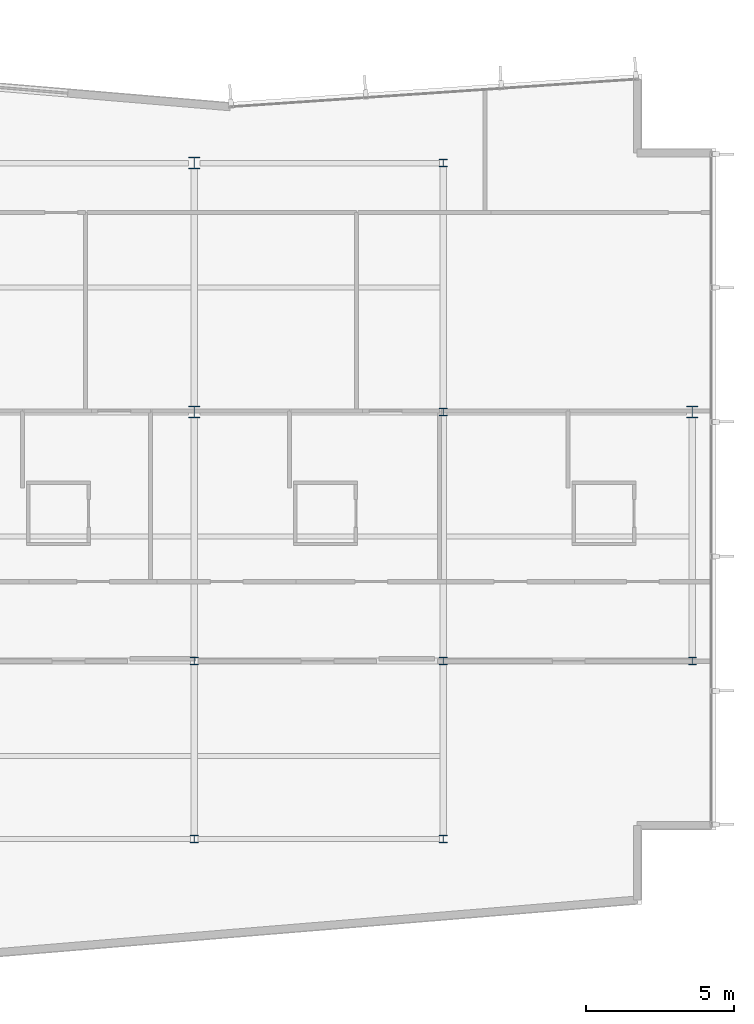
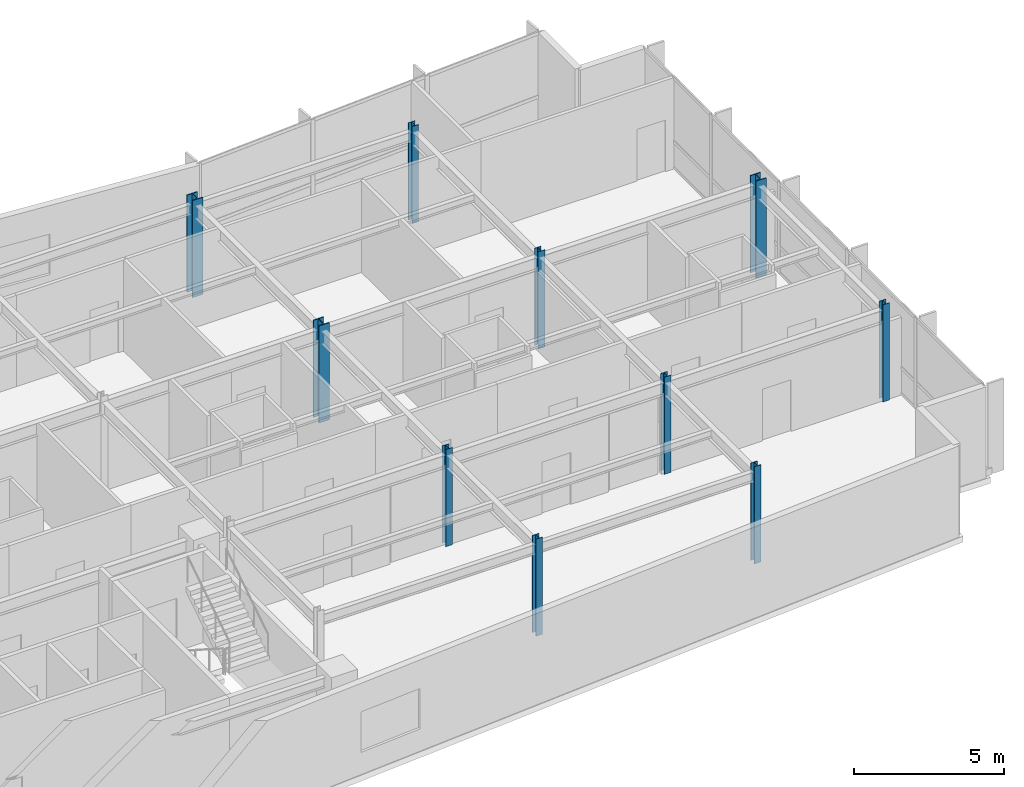
# One storey, part 2 of 17: 10 columns.
"""IFC4 building model written with IfcOpenShell, lengths in metres."""

import ifcopenshell
import ifcopenshell.guid

model = None  # the IFC model being written
_history = None  # IfcOwnerHistory: only IFC2X3 demands one
_inside = {}  # id of a spatial element -> (the spatial element, [elements in it])
_under = {}  # id of a project, library or spatial element -> (it, [spatial elements below it])
_declared = {}  # id of a project -> (the project, [libraries it declares])
_typed = {}  # id of a type object -> (the type object, [elements of that type])
_made_of = {}  # id of a material, layer set ... -> (it, [elements and type objects made of it])


def new_model(schema):
    """Start an empty IFC model of exactly this schema.

    Asked for "IFC4X3", IfcOpenShell would pick the latest addendum, in which some entities
    have other attributes; the version numbers below select the first issue.
    IFC2X3 requires an IfcOwnerHistory on every rooted entity: one is made here for all.
    """
    global model, _history
    if schema == "IFC4X3":
        model = ifcopenshell.file(schema_version=(4, 3, 0, 0))
    else:
        model = ifcopenshell.file(schema=schema)
    _inside.clear()
    _under.clear()
    _declared.clear()
    _typed.clear()
    _made_of.clear()
    _history = None
    if model.schema == "IFC2X3":
        org = make("IfcOrganization", Name="unknown")
        user = make(
            "IfcPersonAndOrganization",
            ThePerson=make("IfcPerson", FamilyName="unknown"),
            TheOrganization=org,
        )
        app = make(
            "IfcApplication",
            ApplicationDeveloper=org,
            Version="unknown",
            ApplicationFullName="unknown",
            ApplicationIdentifier="unknown",
        )
        _history = make(
            "IfcOwnerHistory",
            OwningUser=user,
            OwningApplication=app,
            ChangeAction="ADDED",
            CreationDate=0,
        )
    return model


def make(cls, **values):
    """One entity of the class cls with the attributes given. An attribute that is None is left unset."""
    return model.create_entity(
        cls, **{name: value for name, value in values.items() if value is not None}
    )


def rooted(cls, **values):
    """An entity with a GlobalId (a new one), such as an element, a storey or a relation."""
    return make(cls, GlobalId=ifcopenshell.guid.new(), OwnerHistory=_history, **values)


def si_unit(unit_type, name, prefix=None):
    """IfcSIUnit, for example si_unit("LENGTHUNIT", "METRE", prefix="MILLI")."""
    return make("IfcSIUnit", UnitType=unit_type, Prefix=prefix, Name=name)


def assignment(units):
    """IfcUnitAssignment: the units of a project."""
    return None if units is None else make("IfcUnitAssignment", Units=units)


def point(xyz):
    """IfcCartesianPoint."""
    return None if xyz is None else make("IfcCartesianPoint", Coordinates=xyz)


def direction(xyz):
    """IfcDirection."""
    return None if xyz is None else make("IfcDirection", DirectionRatios=xyz)


def frame(location, z_axis=None, x_axis=None):
    """IfcAxis2Placement3D, a coordinate frame: its origin and axes. An axis left out is left unset."""
    return make(
        "IfcAxis2Placement3D",
        Location=point(location),
        Axis=direction(z_axis),
        RefDirection=direction(x_axis),
    )


def frame_2d(location, x_axis=None):
    """IfcAxis2Placement2D, a coordinate frame in the plane: its origin and x axis."""
    return make(
        "IfcAxis2Placement2D", Location=point(location), RefDirection=direction(x_axis)
    )


def origin():
    """The frame at (0, 0, 0) with its axes left unset."""
    return frame((0.0, 0.0, 0.0))


def origin_2d():
    """The frame at (0, 0) in the plane with its x axis left unset."""
    return frame_2d((0.0, 0.0))


def place(relative_to, where):
    """IfcLocalPlacement: puts the frame where relative to a parent placement (None: the world)."""
    return make(
        "IfcLocalPlacement", PlacementRelTo=relative_to, RelativePlacement=where
    )


def context(
    kind, dimensions, precision=None, world=None, true_north=None, identifier=None
):
    """IfcGeometricRepresentationContext, for example the 3D "Model" context."""
    return make(
        "IfcGeometricRepresentationContext",
        ContextIdentifier=identifier,
        ContextType=kind,
        CoordinateSpaceDimension=dimensions,
        Precision=precision,
        WorldCoordinateSystem=world,
        TrueNorth=true_north,
    )


def subcontext(parent, identifier, kind, view, scale=None):
    """IfcGeometricRepresentationSubContext, for example "Body" below "Model"."""
    return make(
        "IfcGeometricRepresentationSubContext",
        ContextIdentifier=identifier,
        ContextType=kind,
        ParentContext=parent,
        TargetScale=scale,
        TargetView=view,
    )


def project(units=None, contexts=None):
    """IfcProject with its units and contexts."""
    return rooted(
        "IfcProject",
        Name="project",
        RepresentationContexts=contexts,
        UnitsInContext=assignment(units),
    )


def spatial(cls, under=None, at=None, **own):
    """A site, building, storey or space (cls), placed at a placement, below another one or the project."""
    s = rooted(cls, ObjectPlacement=at, **own)
    if under is not None:
        _under.setdefault(under.id(), (under, []))[1].append(s)
    return s


def profile(cls, at=None, kind="AREA", **sizes):
    """A parametric profile (cls). Its sizes go by their IFC names, for example OverallWidth=200.0."""
    return make(cls, ProfileType=kind, Position=at, **sizes)


def i_section(**sizes):
    """IfcIShapeProfileDef."""
    return profile("IfcIShapeProfileDef", **sizes)


def extrude(swept, where, along, depth):
    """IfcExtrudedAreaSolid: the profile swept, set in the frame where, extruded along a direction by depth."""
    return make(
        "IfcExtrudedAreaSolid",
        SweptArea=swept,
        Position=where,
        ExtrudedDirection=direction(along),
        Depth=depth,
    )


def shape(context_of_items, identifier, shape_type, items):
    """IfcShapeRepresentation: the items that make up one representation, for example the "Body"."""
    return make(
        "IfcShapeRepresentation",
        ContextOfItems=context_of_items,
        RepresentationIdentifier=identifier,
        RepresentationType=shape_type,
        Items=items,
    )


def material(Name=None, Category=None):
    """IfcMaterial."""
    return make("IfcMaterial", Name=Name, Category=Category)


def material_profile(
    of_material, cross_section, Name=None, Category=None, Priority=None
):
    """IfcMaterialProfile: a cross section and its material."""
    return make(
        "IfcMaterialProfile",
        Name=Name,
        Material=of_material,
        Profile=cross_section,
        Priority=Priority,
        Category=Category,
    )


def profile_set(profiles, Name=None, composite=None):
    """IfcMaterialProfileSet."""
    return make(
        "IfcMaterialProfileSet",
        Name=Name,
        MaterialProfiles=profiles,
        CompositeProfile=composite,
    )


def made_of(thing, what):
    """Note that an element or type object is made of a material, layer set ...; save() writes the relation."""
    if what is not None:
        _made_of.setdefault(what.id(), (what, []))[1].append(thing)
    return thing


def type_object(cls, material=None, **own):
    """A type object (cls), such as IfcWallType, which elements share."""
    return made_of(rooted(cls, **own), material)


def element(
    cls,
    number,
    at=None,
    inside=None,
    cuts=None,
    type_object=None,
    material=None,
    context=None,
    identifier="Body",
    shape_type=None,
    held_by="IfcProductDefinitionShape",
    body=None,
    shapes=None,
    **own,
):
    """One element of the class cls, such as IfcWall. Its Tag is "e" and its number.

    at: its placement. inside: the storey or other place that contains it. cuts: it is an
    opening in that element (IfcRelVoidsElement). A single representation is given by context,
    identifier, shape_type and body (its items); several are given by shapes. held_by: the class
    of the entity that holds the representations. save() writes the other relations.
    """
    e = rooted(cls, Tag="e%d" % number, ObjectPlacement=at, **own)
    if body is not None:
        shapes = [shape(context, identifier, shape_type, body)]
    if shapes is not None:
        e.Representation = make(held_by, Representations=shapes)
    if inside is not None:
        _inside.setdefault(inside.id(), (inside, []))[1].append(e)
    if cuts is not None:
        rooted(
            "IfcRelVoidsElement", RelatingBuildingElement=cuts, RelatedOpeningElement=e
        )
    if type_object is not None:
        _typed.setdefault(type_object.id(), (type_object, []))[1].append(e)
    return made_of(e, material)


def aggregate(whole, parts):
    """IfcRelAggregates: a whole, such as a stair, and the parts it consists of."""
    return rooted("IfcRelAggregates", RelatingObject=whole, RelatedObjects=parts)


def save(model, path):
    """Write the relations noted so far, then the file.

    IfcRelAggregates (storeys below a building ...), IfcRelContainedInSpatialStructure (elements
    in a storey), IfcRelDefinesByType, IfcRelAssociatesMaterial and IfcRelDeclares: one each for
    every whole, place, type object, material and project.
    """
    for whole, parts in _under.values():
        aggregate(whole, parts)
    for where, things in _inside.values():
        rooted(
            "IfcRelContainedInSpatialStructure",
            RelatedElements=things,
            RelatingStructure=where,
        )
    for kind, things in _typed.values():
        rooted("IfcRelDefinesByType", RelatedObjects=things, RelatingType=kind)
    for what, things in _made_of.values():
        rooted("IfcRelAssociatesMaterial", RelatedObjects=things, RelatingMaterial=what)
    for by, libraries in _declared.values():
        rooted("IfcRelDeclares", RelatingContext=by, RelatedDefinitions=libraries)
    model.write(path)


model = new_model("IFC4")

# Units and contexts
model_context = context("Model", 3, precision=1e-05, world=origin(), true_north=direction((0.0, 1.0)))
body_context = subcontext(model_context, "Body", "Model", "MODEL_VIEW")
ifc_project = project(units=[si_unit("LENGTHUNIT", "METRE"), si_unit("AREAUNIT", "SQUARE_METRE"), si_unit("VOLUMEUNIT", "CUBIC_METRE"), si_unit("PLANEANGLEUNIT", "RADIAN"), si_unit("MASSUNIT", "GRAM", prefix="KILO")], contexts=[model_context])

# Site, building, storey
site_placement = place(None, origin())
site = spatial("IfcSite", under=ifc_project, at=site_placement, CompositionType="ELEMENT")
building_placement = place(site_placement, origin())
building = spatial("IfcBuilding", under=site, at=building_placement, Name="Varnakote Quay Hospital", CompositionType="ELEMENT")
storey_placement = place(building_placement, frame((0.0, 0.0, 203.949951171875)))
storey = spatial("IfcBuildingStorey", under=building, at=storey_placement, Name="L50", CompositionType="ELEMENT", Elevation=203.949951171875)

# Columns
ifc_material_1 = material(Name="Structural steel AS/NZS 3679.1 Grade 350 L0 (fy 340 MPa)", Category="steel")
ifc_material_profile_1 = material_profile(ifc_material_1, i_section(OverallWidth=0.256103515625, OverallDepth=0.260009765625, WebThickness=0.010498046875, FlangeThickness=0.017333984375, FilletRadius=0.0126953125, at=origin_2d()), Name="250UC89.5")
ifc_profile_set_1 = profile_set([ifc_material_profile_1], Name="Structural steel AS/NZS 3679.1 Grade 350 L0 (fy 340 MPa)")
column_type_1 = type_object("IfcColumnType", Name="COL-STL-250UC89-5", PredefinedType="COLUMN", material=ifc_profile_set_1)
for number, where, z_axis, x_axis, name in (
    (1, (33.60009765625, 6.0, 0.0), (0.0, 0.0, 1.0), (1.0, 0.0, 0.0), "L50 Structural Column C-34-6"),
    (2, (42.0, 6.0, 0.0), (0.0, 0.0, 1.0), (1.0, 0.0, 0.0), "L50 Structural Column C-42-6"),
    (3, (33.60009765625, 12.0, 0.0), (0.0, 0.0, 1.0), (1.0, 0.0, 0.0), "L50 Structural Column C-34-12"),
    (4, (42.0, 12.0, 0.0), (0.0, 0.0, 1.0), (1.0, 0.0, 0.0), "L50 Structural Column C-42-12"),
    (5, (50.39990234375, 12.0, 0.0), (0.0, 0.0, 1.0), (1.0, 0.0, 0.0), "L50 Structural Column C-50-12"),
    (6, (42.0, 20.39990234375, 0.0), (0.0, 0.0, 1.0), (1.0, 0.0, 0.0), "L50 Structural Column C-42-20"),
    (7, (42.0, 28.800048828125, 0.0), (0.0, 0.0, 1.0), (1.0, 0.0, 0.0), "L50 Structural Column C-42-29"),
):
    element("IfcColumn", number, at=place(storey_placement, frame(where, z_axis=z_axis, x_axis=x_axis)), inside=storey, type_object=column_type_1, Name=name, PredefinedType="COLUMN", context=body_context, shape_type="SweptSolid", body=[
        extrude(i_section(OverallWidth=0.256103515625, OverallDepth=0.260009765625, WebThickness=0.010498046875, FlangeThickness=0.017333984375, FilletRadius=0.0126953125, at=origin_2d()), origin(), (0.0, 0.0, 1.0), 3.949951171875),
    ])
ifc_material_2 = material(Name="Structural steel AS/NZS 3678 Grade 350 (fy 340 MPa)", Category="steel")
ifc_material_profile_2 = material_profile(ifc_material_2, i_section(OverallWidth=0.39990234375, OverallDepth=0.404052734375, WebThickness=0.02001953125, FlangeThickness=0.031982421875, at=origin_2d()), Name="400WC270")
ifc_profile_set_2 = profile_set([ifc_material_profile_2], Name="Structural steel AS/NZS 3678 Grade 350 (fy 340 MPa)")
column_type_2 = type_object("IfcColumnType", Name="COL-STL-400WC270", PredefinedType="COLUMN", material=ifc_profile_set_2)
for number, where, z_axis, x_axis, name in (
    (8, (33.60009765625, 20.39990234375, 0.0), (0.0, 0.0, 1.0), (1.0, 0.0, 0.0), "L50 Structural Column C-34-20"),
    (9, (50.39990234375, 20.39990234375, 0.0), (0.0, 0.0, 1.0), (1.0, 0.0, 0.0), "L50 Structural Column C-50-20"),
    (10, (33.60009765625, 28.800048828125, 0.0), (0.0, 0.0, 1.0), (1.0, 0.0, 0.0), "L50 Structural Column C-34-29"),
):
    element("IfcColumn", number, at=place(storey_placement, frame(where, z_axis=z_axis, x_axis=x_axis)), inside=storey, type_object=column_type_2, Name=name, PredefinedType="COLUMN", context=body_context, shape_type="SweptSolid", body=[
        extrude(i_section(OverallWidth=0.39990234375, OverallDepth=0.404052734375, WebThickness=0.02001953125, FlangeThickness=0.031982421875, at=origin_2d()), origin(), (0.0, 0.0, 1.0), 3.949951171875),
    ])

save(model, "model.ifc")
